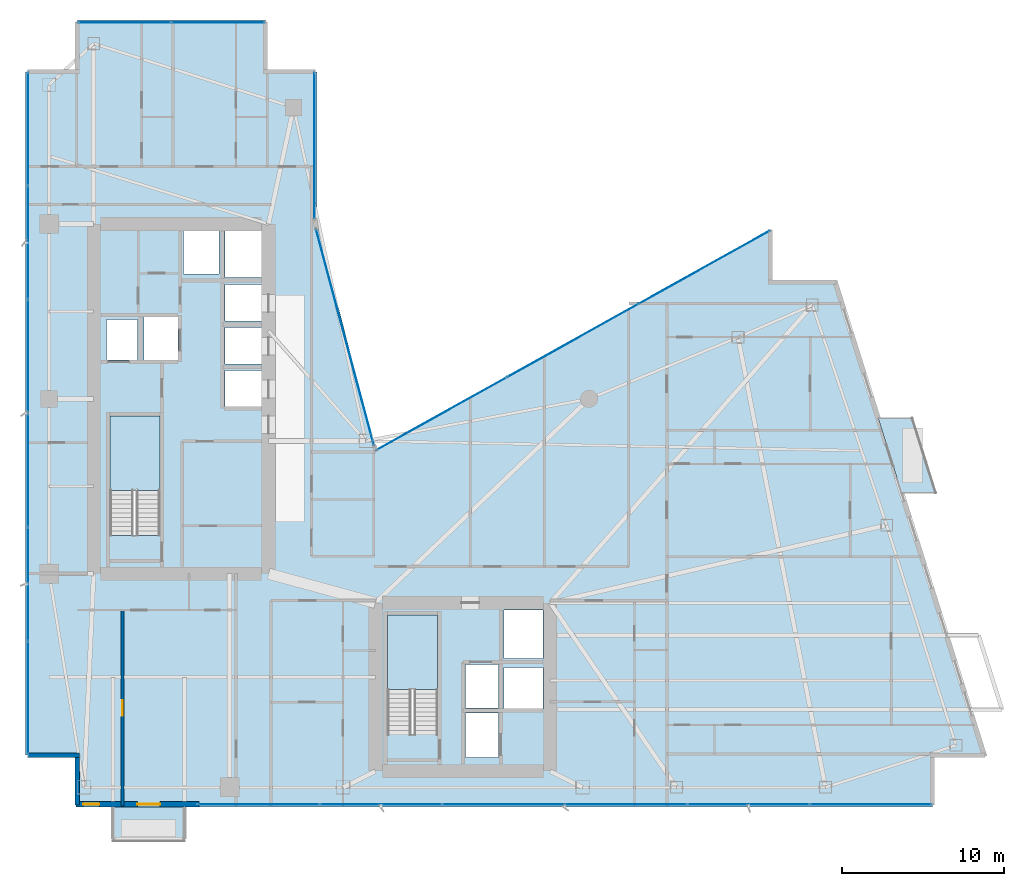
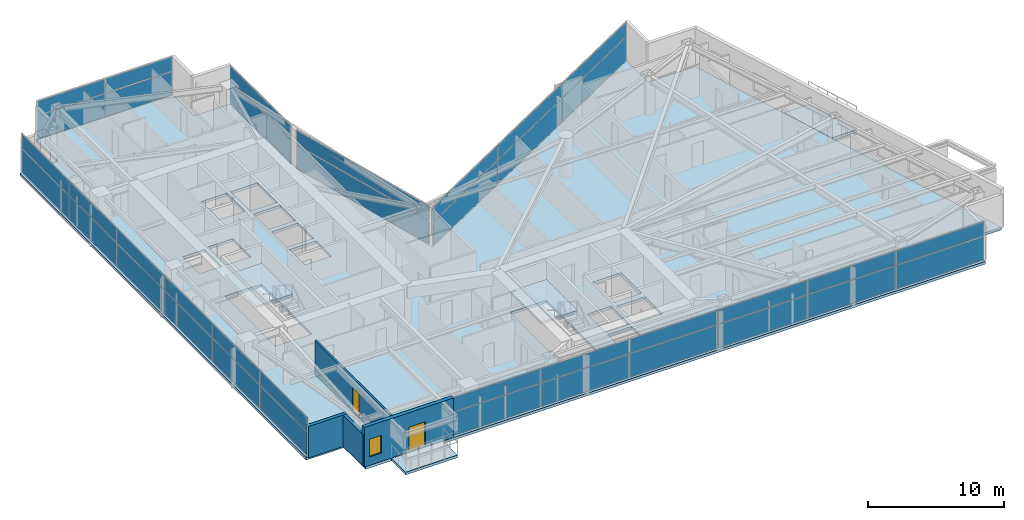
# One storey, part 21 of 28: 38 plates, 5 slabs, 4 walls, 2 doors, 1 window, 3 openings, 8 elements without a shape of their own.
"""IFC4 building model written with IfcOpenShell, lengths in metres."""

from ifc_helpers import new_model, si_unit, direction, frame, frame_2d, origin, origin_2d, place, context, subcontext, project, spatial, polyline, rectangle, outline, extrude, material, layer, layer_set, type_object, element, fill, aggregate, save


model = new_model("IFC4")

# Units and contexts
model_context = context("Model", 3, precision=1e-05, world=origin(), true_north=direction((0.0, 1.0)))
body_context = subcontext(model_context, "Body", "Model", "MODEL_VIEW")
ifc_project = project(units=[si_unit("LENGTHUNIT", "METRE"), si_unit("AREAUNIT", "SQUARE_METRE"), si_unit("VOLUMEUNIT", "CUBIC_METRE"), si_unit("PLANEANGLEUNIT", "RADIAN"), si_unit("MASSUNIT", "GRAM", prefix="KILO")], contexts=[model_context])

# Site, building, storey
site_placement = place(None, origin())
site = spatial("IfcSite", under=ifc_project, at=site_placement, CompositionType="ELEMENT")
building_placement = place(site_placement, origin())
building = spatial("IfcBuilding", under=site, at=building_placement, Name="Calvorn Quay Hotel", CompositionType="ELEMENT")
storey_placement = place(building_placement, frame((0.0, 0.0, 116.39990234375)))
storey = spatial("IfcBuildingStorey", under=building, at=storey_placement, Name="L28", CompositionType="ELEMENT", Elevation=116.39990234375)

# Curtain wall, plates
ifc_material_1 = material(Name="Pale Anodised Aluminium and Low-E Glass", Category="aluminium")
ifc_layer_1 = layer(ifc_material_1, 0.219970703125)
ifc_layer_set_1 = layer_set([ifc_layer_1], Name="CW-SYS-Z2")
curtain_wall_type = type_object("IfcCurtainWallType", Name="CW-SYS-Z2", PredefinedType="NOTDEFINED", material=ifc_layer_set_1)
curtain_wall_1_placement = place(storey_placement, origin())
curtain_wall_1 = element("IfcCurtainWall", 1, at=curtain_wall_1_placement, inside=storey, type_object=curtain_wall_type, Name="Tower West Curtain Wall (L28)", PredefinedType="NOTDEFINED")
ifc_material_2 = material(Name="Low-E Laminated Double Glazing", Category="glass")
ifc_layer_2 = layer(ifc_material_2, 0.028076171875)
ifc_layer_set_2 = layer_set([ifc_layer_2], Name="CW-SYS-Z2-PAN")
plate_type = type_object("IfcPlateType", Name="CW-SYS-Z2-PAN", PredefinedType="CURTAIN_PANEL", material=ifc_layer_set_2)
plate_1_placement = place(storey_placement, frame((0.14990234375, 9.131591796875, 0.06005859375), z_axis=(0.0, 0.0, 1.0), x_axis=(0.0, 1.0, 0.0)))
plate_1 = element("IfcPlate", 2, at=plate_1_placement, type_object=plate_type, Name="CW-L28-W panel 1.1", PredefinedType="CURTAIN_PANEL", context=body_context, shape_type="SweptSolid", body=[
    extrude(rectangle(XDim=6.943359375, YDim=0.028076171875, at=origin_2d()), origin(), (0.0, 0.0, 1.0), 2.110107421875),
])
plate_2_placement = place(storey_placement, frame((0.14990234375, 9.131591796875, 2.22998046875), z_axis=(0.0, 0.0, 1.0), x_axis=(0.0, 1.0, 0.0)))
plate_2 = element("IfcPlate", 3, at=plate_2_placement, type_object=plate_type, Name="CW-L28-W panel 1.2", PredefinedType="CURTAIN_PANEL", context=body_context, shape_type="SweptSolid", body=[
    extrude(rectangle(XDim=6.943359375, YDim=0.028076171875, at=origin_2d()), origin(), (0.0, 0.0, 1.0), 1.27001953125),
])
plate_3_placement = place(storey_placement, frame((0.14990234375, 16.14990234375, 0.06005859375), z_axis=(0.0, 0.0, 1.0), x_axis=(0.0, 1.0, 0.0)))
plate_3 = element("IfcPlate", 4, at=plate_3_placement, type_object=plate_type, Name="CW-L28-W panel 2.1", PredefinedType="CURTAIN_PANEL", context=body_context, shape_type="SweptSolid", body=[
    extrude(rectangle(XDim=6.973388671875, YDim=0.028076171875, at=origin_2d()), origin(), (0.0, 0.0, 1.0), 2.110107421875),
])
plate_4_placement = place(storey_placement, frame((0.14990234375, 16.14990234375, 2.22998046875), z_axis=(0.0, 0.0, 1.0), x_axis=(0.0, 1.0, 0.0)))
plate_4 = element("IfcPlate", 5, at=plate_4_placement, type_object=plate_type, Name="CW-L28-W panel 2.2", PredefinedType="CURTAIN_PANEL", context=body_context, shape_type="SweptSolid", body=[
    extrude(rectangle(XDim=6.973388671875, YDim=0.028076171875, at=origin_2d()), origin(), (0.0, 0.0, 1.0), 1.27001953125),
])
plate_5_placement = place(storey_placement, frame((0.14990234375, 23.183349609375, 0.06005859375), z_axis=(0.0, 0.0, 1.0), x_axis=(0.0, 1.0, 0.0)))
plate_5 = element("IfcPlate", 6, at=plate_5_placement, type_object=plate_type, Name="CW-L28-W panel 3.1", PredefinedType="CURTAIN_PANEL", context=body_context, shape_type="SweptSolid", body=[
    extrude(rectangle(XDim=6.973388671875, YDim=0.028076171875, at=origin_2d()), origin(), (0.0, 0.0, 1.0), 2.110107421875),
])
plate_6_placement = place(storey_placement, frame((0.14990234375, 23.183349609375, 2.22998046875), z_axis=(0.0, 0.0, 1.0), x_axis=(0.0, 1.0, 0.0)))
plate_6 = element("IfcPlate", 7, at=plate_6_placement, type_object=plate_type, Name="CW-L28-W panel 3.2", PredefinedType="CURTAIN_PANEL", context=body_context, shape_type="SweptSolid", body=[
    extrude(rectangle(XDim=6.973388671875, YDim=0.028076171875, at=origin_2d()), origin(), (0.0, 0.0, 1.0), 1.27001953125),
])
plate_7_placement = place(storey_placement, frame((0.14990234375, 30.216552734375, 0.06005859375), z_axis=(0.0, 0.0, 1.0), x_axis=(0.0, 1.0, 0.0)))
plate_7 = element("IfcPlate", 8, at=plate_7_placement, type_object=plate_type, Name="CW-L28-W panel 4.1", PredefinedType="CURTAIN_PANEL", context=body_context, shape_type="SweptSolid", body=[
    extrude(rectangle(XDim=6.973388671875, YDim=0.028076171875, at=origin_2d()), origin(), (0.0, 0.0, 1.0), 2.110107421875),
])
plate_8_placement = place(storey_placement, frame((0.14990234375, 30.216552734375, 2.22998046875), z_axis=(0.0, 0.0, 1.0), x_axis=(0.0, 1.0, 0.0)))
plate_8 = element("IfcPlate", 9, at=plate_8_placement, type_object=plate_type, Name="CW-L28-W panel 4.2", PredefinedType="CURTAIN_PANEL", context=body_context, shape_type="SweptSolid", body=[
    extrude(rectangle(XDim=6.973388671875, YDim=0.028076171875, at=origin_2d()), origin(), (0.0, 0.0, 1.0), 1.27001953125),
])
plate_9_placement = place(storey_placement, frame((0.14990234375, 37.25, 0.06005859375), z_axis=(0.0, 0.0, 1.0), x_axis=(0.0, 1.0, 0.0)))
plate_9 = element("IfcPlate", 10, at=plate_9_placement, type_object=plate_type, Name="CW-L28-W panel 5.1", PredefinedType="CURTAIN_PANEL", context=body_context, shape_type="SweptSolid", body=[
    extrude(rectangle(XDim=6.973388671875, YDim=0.028076171875, at=origin_2d()), origin(), (0.0, 0.0, 1.0), 2.110107421875),
])
plate_10_placement = place(storey_placement, frame((0.14990234375, 37.25, 2.22998046875), z_axis=(0.0, 0.0, 1.0), x_axis=(0.0, 1.0, 0.0)))
plate_10 = element("IfcPlate", 11, at=plate_10_placement, type_object=plate_type, Name="CW-L28-W panel 5.2", PredefinedType="CURTAIN_PANEL", context=body_context, shape_type="SweptSolid", body=[
    extrude(rectangle(XDim=6.973388671875, YDim=0.028076171875, at=origin_2d()), origin(), (0.0, 0.0, 1.0), 1.27001953125),
])
plate_11_placement = place(storey_placement, frame((0.14990234375, 44.268310546875, 0.06005859375), z_axis=(0.0, 0.0, 1.0), x_axis=(0.0, 1.0, 0.0)))
plate_11 = element("IfcPlate", 12, at=plate_11_placement, type_object=plate_type, Name="CW-L28-W panel 6.1", PredefinedType="CURTAIN_PANEL", context=body_context, shape_type="SweptSolid", body=[
    extrude(rectangle(XDim=6.943359375, YDim=0.028076171875, at=origin_2d()), origin(), (0.0, 0.0, 1.0), 2.110107421875),
])
plate_12_placement = place(storey_placement, frame((0.14990234375, 44.268310546875, 2.22998046875), z_axis=(0.0, 0.0, 1.0), x_axis=(0.0, 1.0, 0.0)))
plate_12 = element("IfcPlate", 13, at=plate_12_placement, type_object=plate_type, Name="CW-L28-W panel 6.2", PredefinedType="CURTAIN_PANEL", context=body_context, shape_type="SweptSolid", body=[
    extrude(rectangle(XDim=6.943359375, YDim=0.028076171875, at=origin_2d()), origin(), (0.0, 0.0, 1.0), 1.27001953125),
])
aggregate(curtain_wall_1, [plate_1, plate_2, plate_3, plate_4, plate_5, plate_6, plate_7, plate_8, plate_9, plate_10, plate_11, plate_12])

curtain_wall_2_placement = place(storey_placement, origin())
curtain_wall_2 = element("IfcCurtainWall", 14, at=curtain_wall_2_placement, inside=storey, type_object=curtain_wall_type, Name="Tower South Waterfront Curtain Wall (L28)", PredefinedType="NOTDEFINED")
plate_13_placement = place(storey_placement, frame((14.3984375, 2.550048828125, 0.06005859375), z_axis=(0.0, 0.0, 1.0), x_axis=(1.0, 0.0, 0.0)))
plate_13 = element("IfcPlate", 15, at=plate_13_placement, type_object=plate_type, Name="CW-L28-S panel 1.1", PredefinedType="CURTAIN_PANEL", context=body_context, shape_type="SweptSolid", body=[
    extrude(rectangle(XDim=7.4765625, YDim=0.028076171875, at=origin_2d()), origin(), (0.0, 0.0, 1.0), 2.110107421875),
])
plate_14_placement = place(storey_placement, frame((14.3984375, 2.550048828125, 2.22998046875), z_axis=(0.0, 0.0, 1.0), x_axis=(1.0, 0.0, 0.0)))
plate_14 = element("IfcPlate", 16, at=plate_14_placement, type_object=plate_type, Name="CW-L28-S panel 1.2", PredefinedType="CURTAIN_PANEL", context=body_context, shape_type="SweptSolid", body=[
    extrude(rectangle(XDim=7.4765625, YDim=0.028076171875, at=origin_2d()), origin(), (0.0, 0.0, 1.0), 1.27001953125),
])
plate_15_placement = place(storey_placement, frame((21.949951171875, 2.550048828125, 0.06005859375), z_axis=(0.0, 0.0, 1.0), x_axis=(1.0, 0.0, 0.0)))
plate_15 = element("IfcPlate", 17, at=plate_15_placement, type_object=plate_type, Name="CW-L28-S panel 2.1", PredefinedType="CURTAIN_PANEL", context=body_context, shape_type="SweptSolid", body=[
    extrude(rectangle(XDim=7.506591796875, YDim=0.028076171875, at=origin_2d()), origin(), (0.0, 0.0, 1.0), 2.110107421875),
])
plate_16_placement = place(storey_placement, frame((21.949951171875, 2.550048828125, 2.22998046875), z_axis=(0.0, 0.0, 1.0), x_axis=(1.0, 0.0, 0.0)))
plate_16 = element("IfcPlate", 18, at=plate_16_placement, type_object=plate_type, Name="CW-L28-S panel 2.2", PredefinedType="CURTAIN_PANEL", context=body_context, shape_type="SweptSolid", body=[
    extrude(rectangle(XDim=7.506591796875, YDim=0.028076171875, at=origin_2d()), origin(), (0.0, 0.0, 1.0), 1.27001953125),
])
plate_17_placement = place(storey_placement, frame((29.5166015625, 2.550048828125, 0.06005859375), z_axis=(0.0, 0.0, 1.0), x_axis=(1.0, 0.0, 0.0)))
plate_17 = element("IfcPlate", 19, at=plate_17_placement, type_object=plate_type, Name="CW-L28-S panel 3.1", PredefinedType="CURTAIN_PANEL", context=body_context, shape_type="SweptSolid", body=[
    extrude(rectangle(XDim=7.506591796875, YDim=0.028076171875, at=origin_2d()), origin(), (0.0, 0.0, 1.0), 2.110107421875),
])
plate_18_placement = place(storey_placement, frame((29.5166015625, 2.550048828125, 2.22998046875), z_axis=(0.0, 0.0, 1.0), x_axis=(1.0, 0.0, 0.0)))
plate_18 = element("IfcPlate", 20, at=plate_18_placement, type_object=plate_type, Name="CW-L28-S panel 3.2", PredefinedType="CURTAIN_PANEL", context=body_context, shape_type="SweptSolid", body=[
    extrude(rectangle(XDim=7.506591796875, YDim=0.028076171875, at=origin_2d()), origin(), (0.0, 0.0, 1.0), 1.27001953125),
])
plate_19_placement = place(storey_placement, frame((37.083251953125, 2.550048828125, 0.06005859375), z_axis=(0.0, 0.0, 1.0), x_axis=(1.0, 0.0, 0.0)))
plate_19 = element("IfcPlate", 21, at=plate_19_placement, type_object=plate_type, Name="CW-L28-S panel 4.1", PredefinedType="CURTAIN_PANEL", context=body_context, shape_type="SweptSolid", body=[
    extrude(rectangle(XDim=7.506591796875, YDim=0.028076171875, at=origin_2d()), origin(), (0.0, 0.0, 1.0), 2.110107421875),
])
plate_20_placement = place(storey_placement, frame((37.083251953125, 2.550048828125, 2.22998046875), z_axis=(0.0, 0.0, 1.0), x_axis=(1.0, 0.0, 0.0)))
plate_20 = element("IfcPlate", 22, at=plate_20_placement, type_object=plate_type, Name="CW-L28-S panel 4.2", PredefinedType="CURTAIN_PANEL", context=body_context, shape_type="SweptSolid", body=[
    extrude(rectangle(XDim=7.506591796875, YDim=0.028076171875, at=origin_2d()), origin(), (0.0, 0.0, 1.0), 1.27001953125),
])
plate_21_placement = place(storey_placement, frame((44.64990234375, 2.550048828125, 0.06005859375), z_axis=(0.0, 0.0, 1.0), x_axis=(1.0, 0.0, 0.0)))
plate_21 = element("IfcPlate", 23, at=plate_21_placement, type_object=plate_type, Name="CW-L28-S panel 5.1", PredefinedType="CURTAIN_PANEL", context=body_context, shape_type="SweptSolid", body=[
    extrude(rectangle(XDim=7.506591796875, YDim=0.028076171875, at=origin_2d()), origin(), (0.0, 0.0, 1.0), 2.110107421875),
])
plate_22_placement = place(storey_placement, frame((44.64990234375, 2.550048828125, 2.22998046875), z_axis=(0.0, 0.0, 1.0), x_axis=(1.0, 0.0, 0.0)))
plate_22 = element("IfcPlate", 24, at=plate_22_placement, type_object=plate_type, Name="CW-L28-S panel 5.2", PredefinedType="CURTAIN_PANEL", context=body_context, shape_type="SweptSolid", body=[
    extrude(rectangle(XDim=7.506591796875, YDim=0.028076171875, at=origin_2d()), origin(), (0.0, 0.0, 1.0), 1.27001953125),
])
plate_23_placement = place(storey_placement, frame((52.20166015625, 2.550048828125, 0.06005859375), z_axis=(0.0, 0.0, 1.0), x_axis=(1.0, 0.0, 0.0)))
plate_23 = element("IfcPlate", 25, at=plate_23_placement, type_object=plate_type, Name="CW-L28-S panel 6.1", PredefinedType="CURTAIN_PANEL", context=body_context, shape_type="SweptSolid", body=[
    extrude(rectangle(XDim=7.4765625, YDim=0.028076171875, at=origin_2d()), origin(), (0.0, 0.0, 1.0), 2.110107421875),
])
plate_24_placement = place(storey_placement, frame((52.20166015625, 2.550048828125, 2.22998046875), z_axis=(0.0, 0.0, 1.0), x_axis=(1.0, 0.0, 0.0)))
plate_24 = element("IfcPlate", 26, at=plate_24_placement, type_object=plate_type, Name="CW-L28-S panel 6.2", PredefinedType="CURTAIN_PANEL", context=body_context, shape_type="SweptSolid", body=[
    extrude(rectangle(XDim=7.4765625, YDim=0.028076171875, at=origin_2d()), origin(), (0.0, 0.0, 1.0), 1.27001953125),
])
aggregate(curtain_wall_2, [plate_13, plate_14, plate_15, plate_16, plate_17, plate_18, plate_19, plate_20, plate_21, plate_22, plate_23, plate_24])

curtain_wall_3_placement = place(storey_placement, origin())
curtain_wall_3 = element("IfcCurtainWall", 27, at=curtain_wall_3_placement, inside=storey, type_object=curtain_wall_type, Name="Inner Court Curtain Wall L28-NE1", PredefinedType="NOTDEFINED")
plate_25_placement = place(storey_placement, frame((41.920166015625, 35.72607421875, 0.06005859375), z_axis=(0.0, 0.0, 1.0), x_axis=(-0.873480989116, -0.486858256224, 0.0)))
plate_25 = element("IfcPlate", 28, at=plate_25_placement, type_object=plate_type, Name="CW-L28-NE1 panel 1.1", PredefinedType="CURTAIN_PANEL", context=body_context, shape_type="SweptSolid", body=[
    extrude(rectangle(XDim=9.221435546875, YDim=0.028076171875, at=origin_2d()), origin(), (0.0, 0.0, 1.0), 2.110107421875),
])
plate_26_placement = place(storey_placement, frame((41.920166015625, 35.72607421875, 2.22998046875), z_axis=(0.0, 0.0, 1.0), x_axis=(-0.873480989116, -0.486858256224, 0.0)))
plate_26 = element("IfcPlate", 29, at=plate_26_placement, type_object=plate_type, Name="CW-L28-NE1 panel 1.2", PredefinedType="CURTAIN_PANEL", context=body_context, shape_type="SweptSolid", body=[
    extrude(rectangle(XDim=9.221435546875, YDim=0.028076171875, at=origin_2d()), origin(), (0.0, 0.0, 1.0), 1.27001953125),
])
plate_27_placement = place(storey_placement, frame((33.800048828125, 31.199951171875, 0.06005859375), z_axis=(0.0, 0.0, 1.0), x_axis=(-0.873480989116, -0.486858256224, 0.0)))
plate_27 = element("IfcPlate", 30, at=plate_27_placement, type_object=plate_type, Name="CW-L28-NE1 panel 2.1", PredefinedType="CURTAIN_PANEL", context=body_context, shape_type="SweptSolid", body=[
    extrude(rectangle(XDim=9.25146484375, YDim=0.028076171875, at=origin_2d()), origin(), (0.0, 0.0, 1.0), 2.110107421875),
])
plate_28_placement = place(storey_placement, frame((33.800048828125, 31.199951171875, 2.22998046875), z_axis=(0.0, 0.0, 1.0), x_axis=(-0.873480989116, -0.486858256224, 0.0)))
plate_28 = element("IfcPlate", 31, at=plate_28_placement, type_object=plate_type, Name="CW-L28-NE1 panel 2.2", PredefinedType="CURTAIN_PANEL", context=body_context, shape_type="SweptSolid", body=[
    extrude(rectangle(XDim=9.25146484375, YDim=0.028076171875, at=origin_2d()), origin(), (0.0, 0.0, 1.0), 1.27001953125),
])
plate_29_placement = place(storey_placement, frame((25.6796875, 26.674072265625, 0.06005859375), z_axis=(0.0, 0.0, 1.0), x_axis=(-0.873480989116, -0.486858256224, 0.0)))
plate_29 = element("IfcPlate", 32, at=plate_29_placement, type_object=plate_type, Name="CW-L28-NE1 panel 3.1", PredefinedType="CURTAIN_PANEL", context=body_context, shape_type="SweptSolid", body=[
    extrude(rectangle(XDim=9.221435546875, YDim=0.028076171875, at=origin_2d()), origin(), (0.0, 0.0, 1.0), 2.110107421875),
])
plate_30_placement = place(storey_placement, frame((25.6796875, 26.674072265625, 2.22998046875), z_axis=(0.0, 0.0, 1.0), x_axis=(-0.873480989116, -0.486858256224, 0.0)))
plate_30 = element("IfcPlate", 33, at=plate_30_placement, type_object=plate_type, Name="CW-L28-NE1 panel 3.2", PredefinedType="CURTAIN_PANEL", context=body_context, shape_type="SweptSolid", body=[
    extrude(rectangle(XDim=9.221435546875, YDim=0.028076171875, at=origin_2d()), origin(), (0.0, 0.0, 1.0), 1.27001953125),
])
aggregate(curtain_wall_3, [plate_25, plate_26, plate_27, plate_28, plate_29, plate_30])

curtain_wall_4_placement = place(storey_placement, origin())
curtain_wall_4 = element("IfcCurtainWall", 34, at=curtain_wall_4_placement, inside=storey, type_object=curtain_wall_type, Name="Inner Court Curtain Wall L28-IC1", PredefinedType="NOTDEFINED")
plate_31_placement = place(storey_placement, frame((19.72509765625, 31.39990234375, 0.06005859375), z_axis=(0.0, 0.0, 1.0), x_axis=(-0.25877913024, 0.96593652056, 0.0)))
plate_31 = element("IfcPlate", 35, at=plate_31_placement, type_object=plate_type, Name="CW-L28-IC1 panel 1.1", PredefinedType="CURTAIN_PANEL", context=body_context, shape_type="SweptSolid", body=[
    extrude(rectangle(XDim=13.814697265625, YDim=0.028076171875, at=origin_2d()), origin(), (0.0, 0.0, 1.0), 2.110107421875),
])
plate_32_placement = place(storey_placement, frame((19.72509765625, 31.39990234375, 2.22998046875), z_axis=(0.0, 0.0, 1.0), x_axis=(-0.25877913024, 0.96593652056, 0.0)))
plate_32 = element("IfcPlate", 36, at=plate_32_placement, type_object=plate_type, Name="CW-L28-IC1 panel 1.2", PredefinedType="CURTAIN_PANEL", context=body_context, shape_type="SweptSolid", body=[
    extrude(rectangle(XDim=13.814697265625, YDim=0.028076171875, at=origin_2d()), origin(), (0.0, 0.0, 1.0), 1.27001953125),
])
aggregate(curtain_wall_4, [plate_31, plate_32])

curtain_wall_5_placement = place(storey_placement, origin())
curtain_wall_5 = element("IfcCurtainWall", 37, at=curtain_wall_5_placement, inside=storey, type_object=curtain_wall_type, Name="Inner Court Curtain Wall L28-IC2", PredefinedType="NOTDEFINED")
plate_33_placement = place(storey_placement, frame((17.85009765625, 43.239990234375, 0.06005859375), z_axis=(0.0, 0.0, 1.0), x_axis=(0.0, 1.0, 0.0)))
plate_33 = element("IfcPlate", 38, at=plate_33_placement, type_object=plate_type, Name="CW-L28-IC2 panel 1.1", PredefinedType="CURTAIN_PANEL", context=body_context, shape_type="SweptSolid", body=[
    extrude(rectangle(XDim=9.0, YDim=0.028076171875, at=origin_2d()), origin(), (0.0, 0.0, 1.0), 2.110107421875),
])
plate_34_placement = place(storey_placement, frame((17.85009765625, 43.239990234375, 2.22998046875), z_axis=(0.0, 0.0, 1.0), x_axis=(0.0, 1.0, 0.0)))
plate_34 = element("IfcPlate", 39, at=plate_34_placement, type_object=plate_type, Name="CW-L28-IC2 panel 1.2", PredefinedType="CURTAIN_PANEL", context=body_context, shape_type="SweptSolid", body=[
    extrude(rectangle(XDim=9.0, YDim=0.028076171875, at=origin_2d()), origin(), (0.0, 0.0, 1.0), 1.27001953125),
])
aggregate(curtain_wall_5, [plate_33, plate_34])

curtain_wall_6_placement = place(storey_placement, origin())
curtain_wall_6 = element("IfcCurtainWall", 40, at=curtain_wall_6_placement, inside=storey, type_object=curtain_wall_type, Name="Inner Court Curtain Wall L28-N1", PredefinedType="NOTDEFINED")
plate_35_placement = place(storey_placement, frame((11.885009765625, 50.85009765625, 0.06005859375), z_axis=(0.0, 0.0, 1.0), x_axis=(-1.0, 0.0, 0.0)))
plate_35 = element("IfcPlate", 41, at=plate_35_placement, type_object=plate_type, Name="CW-L28-N1 panel 1.1", PredefinedType="CURTAIN_PANEL", context=body_context, shape_type="SweptSolid", body=[
    extrude(rectangle(XDim=5.7099609375, YDim=0.028076171875, at=origin_2d()), origin(), (0.0, 0.0, 1.0), 2.110107421875),
])
plate_36_placement = place(storey_placement, frame((11.885009765625, 50.85009765625, 2.22998046875), z_axis=(0.0, 0.0, 1.0), x_axis=(-1.0, 0.0, 0.0)))
plate_36 = element("IfcPlate", 42, at=plate_36_placement, type_object=plate_type, Name="CW-L28-N1 panel 1.2", PredefinedType="CURTAIN_PANEL", context=body_context, shape_type="SweptSolid", body=[
    extrude(rectangle(XDim=5.7099609375, YDim=0.028076171875, at=origin_2d()), origin(), (0.0, 0.0, 1.0), 1.27001953125),
])
plate_37_placement = place(storey_placement, frame((6.114990234375, 50.85009765625, 0.06005859375), z_axis=(0.0, 0.0, 1.0), x_axis=(-1.0, 0.0, 0.0)))
plate_37 = element("IfcPlate", 43, at=plate_37_placement, type_object=plate_type, Name="CW-L28-N1 panel 2.1", PredefinedType="CURTAIN_PANEL", context=body_context, shape_type="SweptSolid", body=[
    extrude(rectangle(XDim=5.7099609375, YDim=0.028076171875, at=origin_2d()), origin(), (0.0, 0.0, 1.0), 2.110107421875),
])
plate_38_placement = place(storey_placement, frame((6.114990234375, 50.85009765625, 2.22998046875), z_axis=(0.0, 0.0, 1.0), x_axis=(-1.0, 0.0, 0.0)))
plate_38 = element("IfcPlate", 44, at=plate_38_placement, type_object=plate_type, Name="CW-L28-N1 panel 2.2", PredefinedType="CURTAIN_PANEL", context=body_context, shape_type="SweptSolid", body=[
    extrude(rectangle(XDim=5.7099609375, YDim=0.028076171875, at=origin_2d()), origin(), (0.0, 0.0, 1.0), 1.27001953125),
])
aggregate(curtain_wall_6, [plate_35, plate_36, plate_37, plate_38])

# Slabs
ifc_material_3 = material(Name="Concrete C40", Category="concrete")
ifc_layer_3 = layer(ifc_material_3, 0.239990234375)
ifc_layer_set_3 = layer_set([ifc_layer_3], Name="SLB-BALCONY-220")
slab_type_1 = type_object("IfcSlabType", Name="SLB-BALCONY-220", PredefinedType="FLOOR", material=ifc_layer_set_3)
slab_1_placement = place(storey_placement, frame((0.0, 0.0, -0.239990234375)))
element("IfcSlab", 45, at=slab_1_placement, inside=storey, type_object=slab_type_1, Name="Tree Balcony Slab L28-BALC-E", PredefinedType="FLOOR", context=body_context, shape_type="SweptSolid", body=[
    extrude(outline(polyline([(54.10595703125, 21.800048828125), (56.2060546875, 21.800048828125), (54.757080078125, 26.39990234375), (52.656982421875, 26.39990234375), (54.10595703125, 21.800048828125)])), origin(), (0.0, 0.0, 1.0), 0.239990234375),
])
slab_2_placement = place(storey_placement, frame((0.0, 0.0, -0.239990234375)))
element("IfcSlab", 46, at=slab_2_placement, inside=storey, type_object=slab_type_1, Name="Tree Balcony Slab L28-BALC-S", PredefinedType="FLOOR", context=body_context, shape_type="SweptSolid", body=[
    extrude(outline(polyline([(5.39990234375, 0.2900390625), (9.800048828125, 0.2900390625), (9.800048828125, 2.389892578125), (5.39990234375, 2.389892578125), (5.39990234375, 0.2900390625)])), origin(), (0.0, 0.0, 1.0), 0.239990234375),
])

# Stair, slab
ifc_material_4 = material(Name="Concrete C40", Category="concrete")
stair_type = type_object("IfcStairType", Name="STR-CORE-DOGLEG", PredefinedType="HALF_TURN_STAIR", material=ifc_material_4)
stair_1_placement = place(storey_placement, origin())
stair_1 = element("IfcStair", 47, at=stair_1_placement, inside=storey, type_object=stair_type, Name="L28 ST-W", PredefinedType="HALF_TURN_STAIR")
ifc_material_5 = material(Name="Concrete C40", Category="concrete")
ifc_layer_4 = layer(ifc_material_5, 0.199951171875)
ifc_layer_set_4 = layer_set([ifc_layer_4], Name="SLB-STAIR-LANDING-200")
slab_type_2 = type_object("IfcSlabType", Name="SLB-STAIR-LANDING-200", PredefinedType="LANDING", material=ifc_layer_set_4)
slab_3_placement = place(storey_placement, frame((0.0, 0.0, 1.7001953125)))
slab_3 = element("IfcSlab", 48, at=slab_3_placement, type_object=slab_type_2, Name="ST-W landing 1", PredefinedType="LANDING", context=body_context, shape_type="SweptSolid", body=[
    extrude(outline(polyline([(8.300048828125, 21.949951171875), (8.300048828125, 26.550048828125), (5.199951171875, 26.550048828125), (5.199951171875, 21.949951171875), (8.300048828125, 21.949951171875)])), origin(), (0.0, 0.0, 1.0), 0.199951171875),
])
aggregate(stair_1, [slab_3])

stair_2_placement = place(storey_placement, origin())
stair_2 = element("IfcStair", 49, at=stair_2_placement, inside=storey, type_object=stair_type, Name="L28 ST-E", PredefinedType="HALF_TURN_STAIR")
slab_4_placement = place(storey_placement, frame((0.0, 0.0, 1.7001953125)))
slab_4 = element("IfcSlab", 50, at=slab_4_placement, type_object=slab_type_2, Name="ST-E landing 1", PredefinedType="LANDING", context=body_context, shape_type="SweptSolid", body=[
    extrude(outline(polyline([(25.449951171875, 9.64990234375), (25.449951171875, 14.25), (22.35009765625, 14.25), (22.35009765625, 9.64990234375), (25.449951171875, 9.64990234375)])), origin(), (0.0, 0.0, 1.0), 0.199951171875),
])
aggregate(stair_2, [slab_4])

# Slab
ifc_material_6 = material(Name="Concrete C40", Category="concrete")
ifc_layer_5 = layer(ifc_material_6, 0.239990234375)
ifc_layer_set_5 = layer_set([ifc_layer_5], Name="SLB-TOWER-240")
slab_type_3 = type_object("IfcSlabType", Name="SLB-TOWER-240", PredefinedType="FLOOR", material=ifc_layer_set_5)
slab_5_placement = place(storey_placement, frame((0.0, 0.0, -0.239990234375)))
element("IfcSlab", 51, at=slab_5_placement, inside=storey, type_object=slab_type_3, Name="L28 Structural Floor Slab", PredefinedType="FLOOR", context=body_context, shape_type="SweptSolid", body=[
    extrude(outline(polyline([(0.0, 5.60009765625), (3.199951171875, 5.60009765625), (3.199951171875, 2.39990234375), (56.0, 2.39990234375), (56.0, 5.60009765625), (59.199951171875, 5.60009765625), (50.0, 34.800048828125), (46.0, 34.800048828125), (46.0, 38.0), (21.60009765625, 24.39990234375), (18.0, 38.39990234375), (18.0, 47.800048828125), (14.800048828125, 47.800048828125), (14.800048828125, 51.0), (3.199951171875, 51.0), (3.199951171875, 47.800048828125), (0.0, 47.800048828125), (0.0, 5.60009765625)]), holes=[polyline([(5.199951171875, 19.156005859375), (8.300048828125, 19.156005859375), (8.300048828125, 26.550048828125), (5.199951171875, 26.550048828125), (5.199951171875, 19.156005859375)]), polyline([(22.35009765625, 6.85595703125), (25.449951171875, 6.85595703125), (25.449951171875, 14.25), (22.35009765625, 14.25), (22.35009765625, 6.85595703125)]), polyline([(5.0, 30.0), (6.89990234375, 30.0), (6.89990234375, 32.5), (5.0, 32.5), (5.0, 30.0)]), polyline([(7.300048828125, 30.0), (9.39990234375, 30.0), (9.39990234375, 32.64990234375), (7.300048828125, 32.64990234375), (7.300048828125, 30.0)]), polyline([(27.159912109375, 8.5), (29.2099609375, 8.5), (29.2099609375, 11.199951171875), (27.159912109375, 11.199951171875), (27.159912109375, 8.5)]), polyline([(27.159912109375, 5.449951171875), (29.2099609375, 5.449951171875), (29.2099609375, 8.199951171875), (27.159912109375, 8.199951171875), (27.159912109375, 5.449951171875)]), polyline([(12.300048828125, 27.10009765625), (14.56494140625, 27.10009765625), (14.56494140625, 29.35009765625), (12.300048828125, 29.35009765625), (12.300048828125, 27.10009765625)]), polyline([(12.300048828125, 29.75), (14.56494140625, 29.75), (14.56494140625, 32.0), (12.300048828125, 32.0), (12.300048828125, 29.75)]), polyline([(12.300048828125, 32.39990234375), (14.56494140625, 32.39990234375), (14.56494140625, 34.64990234375), (12.300048828125, 34.64990234375), (12.300048828125, 32.39990234375)]), polyline([(12.300048828125, 35.10009765625), (14.56494140625, 35.10009765625), (14.56494140625, 37.965087890625), (12.300048828125, 37.965087890625), (12.300048828125, 35.10009765625)]), polyline([(9.75, 35.300048828125), (11.949951171875, 35.300048828125), (11.949951171875, 37.965087890625), (9.75, 37.965087890625), (9.75, 35.300048828125)]), polyline([(29.550048828125, 11.550048828125), (31.965087890625, 11.550048828125), (31.965087890625, 14.56494140625), (29.550048828125, 14.56494140625), (29.550048828125, 11.550048828125)]), polyline([(29.550048828125, 8.449951171875), (31.965087890625, 8.449951171875), (31.965087890625, 11.0), (29.550048828125, 11.0), (29.550048828125, 8.449951171875)])]), origin(), (0.0, 0.0, 1.0), 0.239990234375),
])

# Wall, openings, door, window
ifc_material_7 = material(Name="Concrete C40", Category="concrete")
ifc_layer_6 = layer(ifc_material_7, 0.320068359375)
ifc_layer_set_6 = layer_set([ifc_layer_6], Name="WL-EXT-SPANDREL-320")
wall_type_1 = type_object("IfcWallType", Name="WL-EXT-SPANDREL-320", PredefinedType="SOLIDWALL", material=ifc_layer_set_6)
wall_1_placement = place(storey_placement, frame((3.10009765625, 2.56005859375, 0.0), z_axis=(0.0, 0.0, 1.0), x_axis=(1.0, 0.0, 0.0)))
wall_1 = element("IfcWall", 52, at=wall_1_placement, inside=storey, type_object=wall_type_1, Name="South Balcony Exterior Wall (L28)", PredefinedType="SOLIDWALL", context=body_context, shape_type="SweptSolid", body=[
    extrude(rectangle(XDim=7.599853515625, YDim=0.320068359375, at=frame_2d((3.7998046875, 0.0))), origin(), (0.0, 0.0, 1.0), 3.56005859375),
])
opening_1_placement = place(wall_1_placement, frame((0.449951171875, 0.0, 0.75)))
opening_1 = element("IfcOpeningElement", 53, at=opening_1_placement, cuts=wall_1, Name="Opening WSB-L28-1", PredefinedType="OPENING", context=body_context, shape_type="SweptSolid", body=[
    extrude(rectangle(XDim=1.0, YDim=1.60009765625, at=frame_2d((0.5, 0.800048828125))), frame((0.0, 0.169921875, 0.0), z_axis=(0.0, -1.0, 0.0), x_axis=(1.0, 0.0, 0.0)), (0.0, 0.0, 1.0), 0.340087890625),
])
opening_2_placement = place(wall_1_placement, frame((3.800048828125, 0.0, 0.0)))
opening_2 = element("IfcOpeningElement", 54, at=opening_2_placement, cuts=wall_1, Name="Opening DB-L28-2", PredefinedType="OPENING", context=body_context, shape_type="SweptSolid", body=[
    extrude(rectangle(XDim=1.39990234375, YDim=2.25, at=frame_2d((0.699951171875, 1.125))), frame((0.0, 0.169921875, 0.0), z_axis=(0.0, -1.0, 0.0), x_axis=(1.0, 0.0, 0.0)), (0.0, 0.0, 1.0), 0.340087890625),
])
ifc_material_8 = material(Name="Typhoon-Rated Low-E Aluminium Terrace Door", Category="aluminium")
door_type_1 = type_object("IfcDoorType", Name="DR-BALCONY-GLZ-1400", OperationType="NOTDEFINED", PredefinedType="DOOR", material=ifc_material_8)
door_1_placement = place(opening_2_placement, origin())
door_1 = element("IfcDoor", 55, at=door_1_placement, inside=storey, type_object=door_type_1, Name="Tree Balcony Terrace Door L28-BALC-S", OperationType="SINGLE_SWING_LEFT", OverallHeight=2.25, OverallWidth=1.39990234375, PredefinedType="DOOR", context=body_context, shape_type="SweptSolid", body=[
    extrude(rectangle(XDim=1.39990234375, YDim=2.25, at=frame_2d((0.699951171875, 1.125))), frame((0.0, 0.02490234375, 0.0), z_axis=(0.0, -1.0, 0.0), x_axis=(1.0, 0.0, 0.0)), (0.0, 0.0, 1.0), 0.050048828125),
])
fill(opening_2, door_1)
ifc_material_9 = material(Name="Self-Closing Class B Side Fire Window")
window_type = type_object("IfcWindowType", Name="WIN-REFUGE-NARROW-1000x1600", PartitioningType="SINGLE_PANEL", PredefinedType="WINDOW", material=ifc_material_9)
window_placement = place(opening_1_placement, origin())
window = element("IfcWindow", 56, at=window_placement, inside=storey, type_object=window_type, Name="South Waterfront Side Window (L28)", OverallHeight=1.60009765625, OverallWidth=1.0, PartitioningType="SINGLE_PANEL", PredefinedType="WINDOW", context=body_context, shape_type="SweptSolid", body=[
    extrude(rectangle(XDim=1.0, YDim=1.60009765625, at=frame_2d((0.5, 0.800048828125))), frame((0.0, 0.030029296875, 0.0), z_axis=(0.0, -1.0, 0.0), x_axis=(1.0, 0.0, 0.0)), (0.0, 0.0, 1.0), 0.06005859375),
])
fill(opening_1, window)

# Walls
wall_2_placement = place(storey_placement, frame((0.1201171875, 5.60009765625, 0.0), z_axis=(0.0, 0.0, 1.0), x_axis=(1.0, 0.0, 0.0)))
element("IfcWall", 57, at=wall_2_placement, inside=storey, type_object=wall_type_1, Name="Notched Corner Spandrel L28-SW1", PredefinedType="SOLIDWALL", context=body_context, shape_type="SweptSolid", body=[
    extrude(rectangle(XDim=3.219970703125, YDim=0.280029296875, at=frame_2d((1.60986328125, 0.0))), origin(), (0.0, 0.0, 1.0), 2.840087890625),
])
wall_3_placement = place(storey_placement, frame((3.199951171875, 5.4599609375, 0.0), z_axis=(0.0, 0.0, 1.0), x_axis=(0.0, -1.0, 0.0)))
element("IfcWall", 58, at=wall_3_placement, inside=storey, type_object=wall_type_1, Name="Notched Corner Spandrel L28-SW2", PredefinedType="SOLIDWALL", context=body_context, shape_type="SweptSolid", body=[
    extrude(rectangle(XDim=2.93994140625, YDim=0.280029296875, at=frame_2d((1.469970703125, 0.0))), origin(), (0.0, 0.0, 1.0), 2.840087890625),
])

# Wall, opening, door
ifc_material_10 = material(Name="Double-Stud Acoustic Gypsum Partition")
ifc_layer_7 = layer(ifc_material_10, 0.159912109375)
ifc_layer_set_7 = layer_set([ifc_layer_7], Name="WL-INTERSUITE-160")
wall_type_2 = type_object("IfcWallType", Name="WL-INTERSUITE-160", PredefinedType="PARTITIONING", material=ifc_layer_set_7)
wall_4_placement = place(storey_placement, frame((5.97998046875, 2.43994140625, 0.0), z_axis=(0.0, 0.0, 1.0), x_axis=(0.0, 1.0, 0.0)))
wall_4 = element("IfcWall", 59, at=wall_4_placement, inside=storey, type_object=wall_type_2, Name="Partition Wall L28-WL-U01-MSP", PredefinedType="PARTITIONING", context=body_context, shape_type="SweptSolid", body=[
    extrude(rectangle(XDim=12.110107421875, YDim=0.159912109375, at=frame_2d((6.05517578125, 0.0))), origin(), (0.0, 0.0, 1.0), 3.0400390625),
])
opening_3_placement = place(wall_4_placement, frame((5.580078125, 0.0, 0.0)))
opening_3 = element("IfcOpeningElement", 60, at=opening_3_placement, cuts=wall_4, Name="Opening D-L28-M01", PredefinedType="OPENING", context=body_context, shape_type="SweptSolid", body=[
    extrude(rectangle(XDim=0.9599609375, YDim=2.199951171875, at=frame_2d((0.47998046875, 1.10009765625))), frame((0.0, 0.08984375, 0.0), z_axis=(0.0, -1.0, 0.0), x_axis=(1.0, 0.0, 0.0)), (0.0, 0.0, 1.0), 0.179931640625),
])
ifc_material_11 = material(Name="Solid Timber Internal Suite Door", Category="wood")
door_type_2 = type_object("IfcDoorType", Name="DR-SUITE-INT-960", OperationType="NOTDEFINED", PredefinedType="DOOR", material=ifc_material_11)
door_2_placement = place(opening_3_placement, origin())
door_2 = element("IfcDoor", 61, at=door_2_placement, inside=storey, type_object=door_type_2, Name="Suite Bedroom Door 01", OperationType="SINGLE_SWING_LEFT", OverallHeight=2.199951171875, OverallWidth=0.9599609375, PredefinedType="DOOR", context=body_context, shape_type="SweptSolid", body=[
    extrude(rectangle(XDim=0.9599609375, YDim=2.199951171875, at=frame_2d((0.47998046875, 1.10009765625))), frame((0.0, 0.02490234375, 0.0), z_axis=(0.0, -1.0, 0.0), x_axis=(1.0, 0.0, 0.0)), (0.0, 0.0, 1.0), 0.050048828125),
])
fill(opening_3, door_2)

save(model, "model.ifc")
